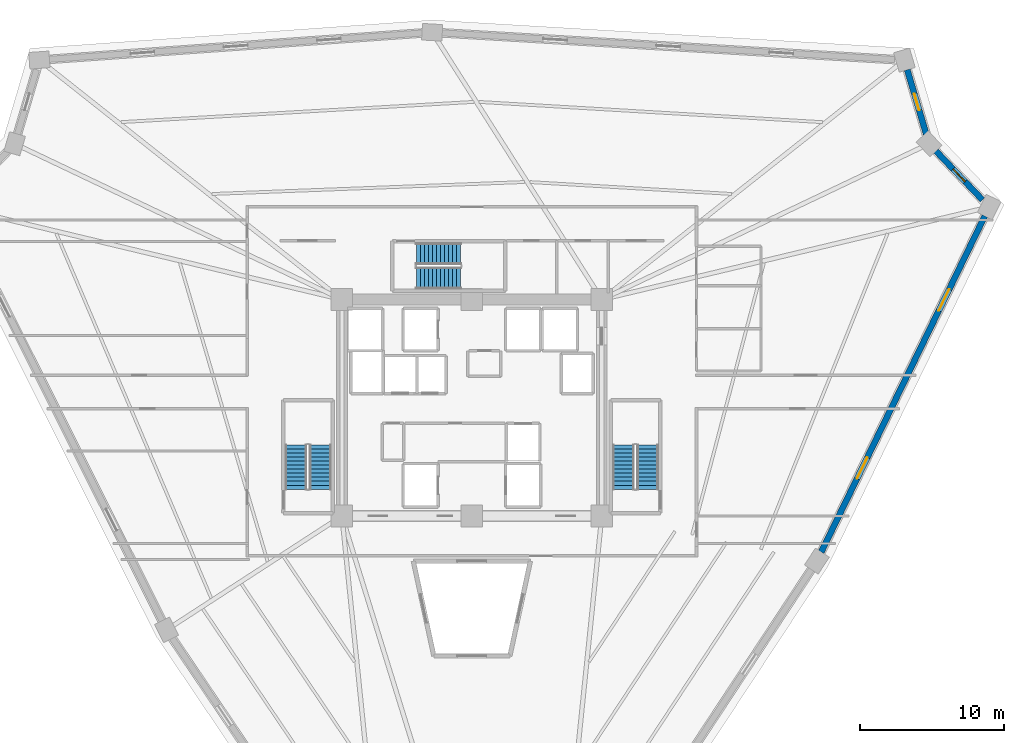
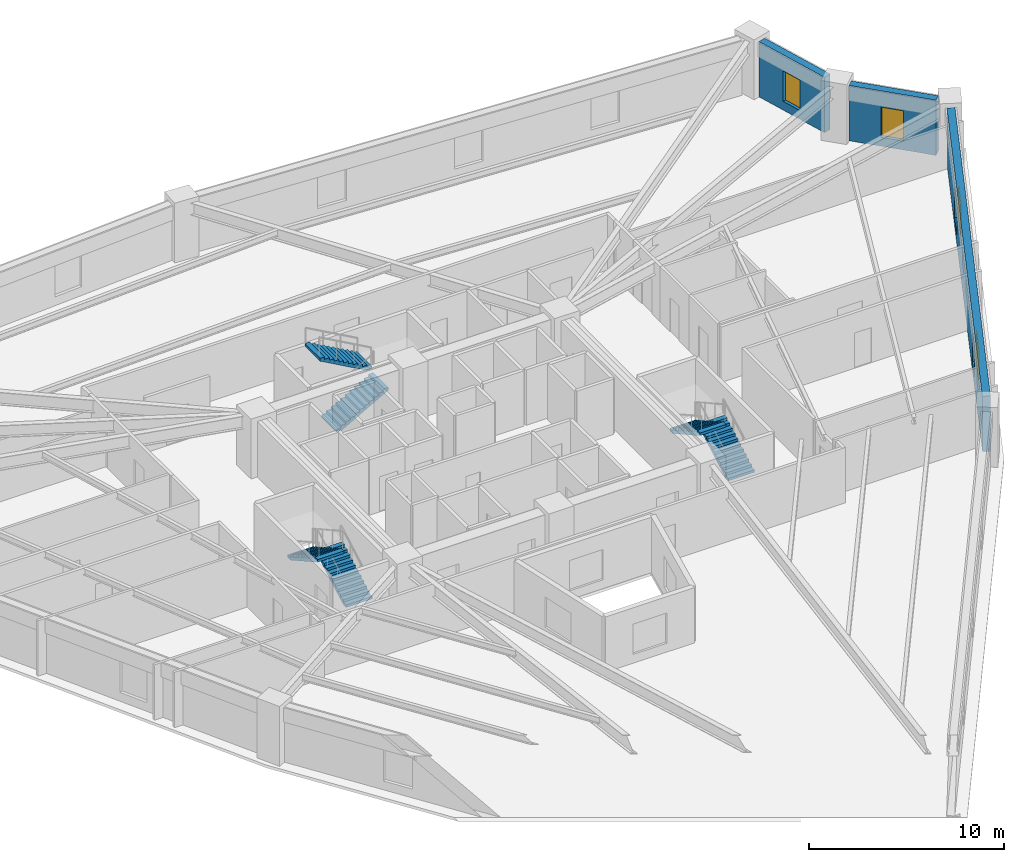
# One storey, part 7 of 8: 6 stair flights, 4 windows, 3 walls, 4 openings, 3 elements without a shape of their own.
"""IFC4 building model written with IfcOpenShell, lengths in metres."""

from ifc_helpers import new_model, si_unit, direction, frame, frame_2d, origin, place, context, subcontext, project, spatial, polyline, rectangle, outline, extrude, source, transform, mapped, material, layer, layer_set, type_object, element, fill, aggregate, save


model = new_model("IFC4")

# Units and contexts
model_context = context("Model", 3, precision=1e-05, world=origin(), true_north=direction((0.0, 1.0)))
body_context = subcontext(model_context, "Body", "Model", "MODEL_VIEW")
ifc_project = project(units=[si_unit("LENGTHUNIT", "METRE"), si_unit("AREAUNIT", "SQUARE_METRE"), si_unit("VOLUMEUNIT", "CUBIC_METRE"), si_unit("PLANEANGLEUNIT", "RADIAN"), si_unit("MASSUNIT", "GRAM", prefix="KILO")], contexts=[model_context])

# Site, building, storey
site_placement = place(None, origin())
site = spatial("IfcSite", under=ifc_project, at=site_placement, CompositionType="ELEMENT")
building_placement = place(site_placement, origin())
building = spatial("IfcBuilding", under=site, at=building_placement, Name="Liaohun Quay Tower", CompositionType="ELEMENT")
storey_placement = place(building_placement, frame((0.0, 0.0, 135.75)))
storey = spatial("IfcBuildingStorey", under=building, at=storey_placement, Name="L35", CompositionType="ELEMENT", Elevation=135.75)

# Wall, openings, windows
ifc_material_1 = material(Name="Precast concrete C50 insulated sandwich", Category="concrete")
ifc_layer = layer(ifc_material_1, 0.419921875, Name="Precast concrete C50 insulated sandwich", Category="concrete")
ifc_layer_set = layer_set([ifc_layer], Name="Precast concrete C50 insulated sandwich")
wall_type = type_object("IfcWallType", Name="WAL-EXT-Z12", PredefinedType="SOLIDWALL", material=ifc_layer_set)
wall_1_placement = place(storey_placement, frame((84.197021484375, 44.0, 0.0), z_axis=(0.0, 0.0, 1.0), x_axis=(0.4377191358, 0.899111760658, 0.0)))
wall_1 = element("IfcWall", 1, at=wall_1_placement, inside=storey, type_object=wall_type, Name="L35 Brutalist Precast Pier Wall 03", PredefinedType="SOLIDWALL", context=body_context, shape_type="SweptSolid", body=[
    extrude(rectangle(XDim=25.8955078125, YDim=0.419921875, at=frame_2d((12.94775390625, 0.0))), origin(), (0.0, 0.0, 1.0), 3.469970703125),
])
shared_shape_1 = source(origin(), body_context, "Body", "SweptSolid", [
    extrude(rectangle(XDim=1.64990234375, YDim=1.949951171875, at=frame_2d((0.824951171875, 0.97509765625))), frame((0.0, 0.219970703125, 0.0), z_axis=(0.0, -1.0, 0.0), x_axis=(1.0, 0.0, 0.0)), (0.0, 0.0, 1.0), 0.43994140625),
])
opening_1_placement = place(wall_1_placement, frame((5.64892578125, 0.0, 0.550048828125)))
opening_1 = element("IfcOpeningElement", 2, at=opening_1_placement, cuts=wall_1, Name="Opening W02", PredefinedType="OPENING", context=body_context, shape_type="MappedRepresentation", body=[
    mapped(shared_shape_1, transform((0.0, 0.0, 0.0), x_axis=(1.0, 0.0, 0.0), y_axis=(0.0, 1.0, 0.0), z_axis=(0.0, 0.0, 1.0), scale=1.0)),
])
opening_2_placement = place(wall_1_placement, frame((18.596923828125, 0.0, 0.550048828125)))
opening_2 = element("IfcOpeningElement", 3, at=opening_2_placement, cuts=wall_1, Name="Opening W02", PredefinedType="OPENING", context=body_context, shape_type="MappedRepresentation", body=[
    mapped(shared_shape_1, transform((0.0, 0.0, 0.0), x_axis=(1.0, 0.0, 0.0), y_axis=(0.0, 1.0, 0.0), z_axis=(0.0, 0.0, 1.0), scale=1.0)),
])
ifc_material_2 = material(Name="Triple Low-E argon glazing in thermally broken aluminium", Category="aluminium")
window_type_1 = type_object("IfcWindowType", Name="WIN-PUN-Z2", PartitioningType="DOUBLE_PANEL_VERTICAL", PredefinedType="WINDOW", material=ifc_material_2)
shared_shape_2 = source(origin(), body_context, "Body", "SweptSolid", [
    extrude(rectangle(XDim=1.64990234375, YDim=1.949951171875, at=frame_2d((0.824951171875, 0.97509765625))), frame((0.0, 0.030029296875, 0.0), z_axis=(0.0, -1.0, 0.0), x_axis=(1.0, 0.0, 0.0)), (0.0, 0.0, 1.0), 0.06005859375),
])
window_1_placement = place(opening_1_placement, origin())
window_1 = element("IfcWindow", 4, at=window_1_placement, inside=storey, type_object=window_type_1, Name="L35 Recessed Cold-Climate Punched Window 03-1", OverallHeight=1.949951171875, OverallWidth=1.64990234375, PartitioningType="DOUBLE_PANEL_VERTICAL", PredefinedType="WINDOW", context=body_context, shape_type="MappedRepresentation", body=[
    mapped(shared_shape_2, transform((0.0, 0.0, 0.0), x_axis=(1.0, 0.0, 0.0), y_axis=(0.0, 1.0, 0.0), z_axis=(0.0, 0.0, 1.0), scale=1.0)),
])
fill(opening_1, window_1)
window_2_placement = place(opening_2_placement, origin())
window_2 = element("IfcWindow", 5, at=window_2_placement, inside=storey, type_object=window_type_1, Name="L35 Recessed Cold-Climate Punched Window 03-3", OverallHeight=1.949951171875, OverallWidth=1.64990234375, PartitioningType="DOUBLE_PANEL_VERTICAL", PredefinedType="WINDOW", context=body_context, shape_type="MappedRepresentation", body=[
    mapped(shared_shape_2, transform((0.0, 0.0, 0.0), x_axis=(1.0, 0.0, 0.0), y_axis=(0.0, 1.0, 0.0), z_axis=(0.0, 0.0, 1.0), scale=1.0)),
])
fill(opening_2, window_2)

# Wall, opening, window
wall_2_placement = place(storey_placement, frame((95.35791015625, 68.403076171875, 0.0), z_axis=(0.0, 0.0, 1.0), x_axis=(-0.689195001013, 0.724575910846, 0.0)))
wall_2 = element("IfcWall", 6, at=wall_2_placement, inside=storey, type_object=wall_type, Name="L35 Brutalist Precast Pier Wall 04", PredefinedType="SOLIDWALL", context=body_context, shape_type="SweptSolid", body=[
    extrude(rectangle(XDim=4.66455078125, YDim=0.419921875, at=frame_2d((2.332275390625, 0.0))), origin(), (0.0, 0.0, 1.0), 3.469970703125),
])
shared_shape_3 = source(origin(), body_context, "Body", "SweptSolid", [
    extrude(rectangle(XDim=1.199951171875, YDim=1.89990234375, at=frame_2d((0.60009765625, 0.949951171875))), frame((0.0, 0.219970703125, 0.0), z_axis=(0.0, -1.0, 0.0), x_axis=(1.0, 0.0, 0.0)), (0.0, 0.0, 1.0), 0.43994140625),
])
opening_3_placement = place(wall_2_placement, frame((1.73193359375, 0.0, 0.550048828125)))
opening_3 = element("IfcOpeningElement", 7, at=opening_3_placement, cuts=wall_2, Name="Opening W05", PredefinedType="OPENING", context=body_context, shape_type="MappedRepresentation", body=[
    mapped(shared_shape_3, transform((0.0, 0.0, 0.0), x_axis=(1.0, 0.0, 0.0), y_axis=(0.0, 1.0, 0.0), z_axis=(0.0, 0.0, 1.0), scale=1.0)),
])
ifc_material_3 = material(Name="Triple Low-E corner notch glazing", Category="glass")
window_type_2 = type_object("IfcWindowType", Name="WIN-NOTCH", PartitioningType="SINGLE_PANEL", PredefinedType="WINDOW", material=ifc_material_3)
shared_shape_4 = source(origin(), body_context, "Body", "SweptSolid", [
    extrude(rectangle(XDim=1.199951171875, YDim=1.89990234375, at=frame_2d((0.60009765625, 0.949951171875))), frame((0.0, 0.030029296875, 0.0), z_axis=(0.0, -1.0, 0.0), x_axis=(1.0, 0.0, 0.0)), (0.0, 0.0, 1.0), 0.06005859375),
])
window_3_placement = place(opening_3_placement, origin())
window_3 = element("IfcWindow", 8, at=window_3_placement, inside=storey, type_object=window_type_2, Name="L35 Corner Notch Window W05-04", OverallHeight=1.89990234375, OverallWidth=1.199951171875, PartitioningType="SINGLE_PANEL", PredefinedType="WINDOW", context=body_context, shape_type="MappedRepresentation", body=[
    mapped(shared_shape_4, transform((0.0, 0.0, 0.0), x_axis=(1.0, 0.0, 0.0), y_axis=(0.0, 1.0, 0.0), z_axis=(0.0, 0.0, 1.0), scale=1.0)),
])
fill(opening_3, window_3)

wall_3_placement = place(storey_placement, frame((91.471923828125, 72.945068359375, 0.0), z_axis=(0.0, 0.0, 1.0), x_axis=(-0.282713940338, 0.959204268099, 0.0)))
wall_3 = element("IfcWall", 9, at=wall_3_placement, inside=storey, type_object=wall_type, Name="L35 Brutalist Precast Pier Wall 05", PredefinedType="SOLIDWALL", context=body_context, shape_type="SweptSolid", body=[
    extrude(rectangle(XDim=4.657958984375, YDim=0.419921875, at=frame_2d((2.3291015625, 0.0))), origin(), (0.0, 0.0, 1.0), 3.469970703125),
])
opening_4_placement = place(wall_3_placement, frame((1.72900390625, 0.0, 0.550048828125)))
opening_4 = element("IfcOpeningElement", 10, at=opening_4_placement, cuts=wall_3, Name="Opening W05", PredefinedType="OPENING", context=body_context, shape_type="MappedRepresentation", body=[
    mapped(shared_shape_3, transform((0.0, 0.0, 0.0), x_axis=(1.0, 0.0, 0.0), y_axis=(0.0, 1.0, 0.0), z_axis=(0.0, 0.0, 1.0), scale=1.0)),
])
window_4_placement = place(opening_4_placement, origin())
window_4 = element("IfcWindow", 11, at=window_4_placement, inside=storey, type_object=window_type_2, Name="L35 Corner Notch Window W05-05", OverallHeight=1.89990234375, OverallWidth=1.199951171875, PartitioningType="SINGLE_PANEL", PredefinedType="WINDOW", context=body_context, shape_type="MappedRepresentation", body=[
    mapped(shared_shape_4, transform((0.0, 0.0, 0.0), x_axis=(1.0, 0.0, 0.0), y_axis=(0.0, 1.0, 0.0), z_axis=(0.0, 0.0, 1.0), scale=1.0)),
])
fill(opening_4, window_4)

# Stair, stair flights
ifc_material_4 = material(Name="Concrete C45", Category="concrete")
stair_type = type_object("IfcStairType", Name="STR-CORE-OFF", PredefinedType="HALF_TURN_STAIR", material=ifc_material_4)
stair_1_placement = place(storey_placement, origin())
stair_1 = element("IfcStair", 12, at=stair_1_placement, inside=storey, type_object=stair_type, Name="L35 Smokeproof Core Exit Stair ST-1", PredefinedType="HALF_TURN_STAIR")
stair_flight_type = type_object("IfcStairFlightType", Name="FLT-CORE-155", PredefinedType="STRAIGHT", material=ifc_material_4)
stair_flight_1_placement = place(storey_placement, frame((49.5048828125, 48.35009765625, 0.0), z_axis=(0.0, 0.0, 1.0), x_axis=(0.0, 1.0, 0.0)))
stair_flight_1 = element("IfcStairFlight", 13, at=stair_flight_1_placement, type_object=stair_flight_type, Name="ST-1 flight 1", NumberOfRisers=12, NumberOfTreads=11, PredefinedType="STRAIGHT", RiserHeight=0.15625, TreadLength=0.28, context=body_context, shape_type="SweptSolid", body=[
    extrude(outline(polyline([(0.0, 0.0), (0.0, 0.15625), (0.280029296875, 0.15625), (0.280029296875, 0.3125), (0.56005859375, 0.3125), (0.56005859375, 0.46875), (0.840087890625, 0.46875), (0.840087890625, 0.625), (1.1201171875, 0.625), (1.1201171875, 0.78125), (1.39990234375, 0.78125), (1.39990234375, 0.9375), (1.679931640625, 0.9375), (1.679931640625, 1.09375), (1.9599609375, 1.09375), (1.9599609375, 1.25), (2.239990234375, 1.25), (2.239990234375, 1.40625), (2.52001953125, 1.40625), (2.52001953125, 1.5625), (2.800048828125, 1.5625), (2.800048828125, 1.71875), (3.080078125, 1.71875), (3.080078125, 1.875), (3.080078125, 1.547119140625), (0.3076171875, 0.0), (0.0, 0.0)])), frame((0.0, 0.77490234375, 0.0), z_axis=(0.0, -1.0, 0.0), x_axis=(1.0, 0.0, 0.0)), (0.0, 0.0, 1.0), 1.550048828125),
])
stair_flight_2_placement = place(storey_placement, frame((47.81494140625, 51.429931640625, 1.875), z_axis=(0.0, 0.0, 1.0), x_axis=(0.0, -1.0, 0.0)))
stair_flight_2 = element("IfcStairFlight", 14, at=stair_flight_2_placement, type_object=stair_flight_type, Name="ST-1 flight 2", NumberOfRisers=12, NumberOfTreads=11, PredefinedType="STRAIGHT", RiserHeight=0.15625, TreadLength=0.28, context=body_context, shape_type="SweptSolid", body=[
    extrude(outline(polyline([(0.0, 0.0), (0.0, 0.15625), (0.280029296875, 0.15625), (0.280029296875, 0.3125), (0.56005859375, 0.3125), (0.56005859375, 0.46875), (0.840087890625, 0.46875), (0.840087890625, 0.625), (1.1201171875, 0.625), (1.1201171875, 0.78125), (1.39990234375, 0.78125), (1.39990234375, 0.9375), (1.679931640625, 0.9375), (1.679931640625, 1.09375), (1.9599609375, 1.09375), (1.9599609375, 1.25), (2.239990234375, 1.25), (2.239990234375, 1.40625), (2.52001953125, 1.40625), (2.52001953125, 1.5625), (2.800048828125, 1.5625), (2.800048828125, 1.71875), (3.080078125, 1.71875), (3.080078125, 1.875), (3.080078125, 1.547119140625), (0.3076171875, 0.0), (0.0, 0.0)])), frame((0.0, 0.77490234375, 0.0), z_axis=(0.0, -1.0, 0.0), x_axis=(1.0, 0.0, 0.0)), (0.0, 0.0, 1.0), 1.550048828125),
])
aggregate(stair_1, [stair_flight_1, stair_flight_2])

stair_2_placement = place(storey_placement, origin())
stair_2 = element("IfcStair", 15, at=stair_2_placement, inside=storey, type_object=stair_type, Name="L35 Smokeproof Core Exit Stair ST-2", PredefinedType="HALF_TURN_STAIR")
stair_flight_3_placement = place(storey_placement, frame((72.18505859375, 48.35009765625, 0.0), z_axis=(0.0, 0.0, 1.0), x_axis=(0.0, 1.0, 0.0)))
stair_flight_3 = element("IfcStairFlight", 16, at=stair_flight_3_placement, type_object=stair_flight_type, Name="ST-2 flight 1", NumberOfRisers=12, NumberOfTreads=11, PredefinedType="STRAIGHT", RiserHeight=0.15625, TreadLength=0.28, context=body_context, shape_type="SweptSolid", body=[
    extrude(outline(polyline([(0.0, 0.0), (0.0, 0.15625), (0.280029296875, 0.15625), (0.280029296875, 0.3125), (0.56005859375, 0.3125), (0.56005859375, 0.46875), (0.840087890625, 0.46875), (0.840087890625, 0.625), (1.1201171875, 0.625), (1.1201171875, 0.78125), (1.39990234375, 0.78125), (1.39990234375, 0.9375), (1.679931640625, 0.9375), (1.679931640625, 1.09375), (1.9599609375, 1.09375), (1.9599609375, 1.25), (2.239990234375, 1.25), (2.239990234375, 1.40625), (2.52001953125, 1.40625), (2.52001953125, 1.5625), (2.800048828125, 1.5625), (2.800048828125, 1.71875), (3.080078125, 1.71875), (3.080078125, 1.875), (3.080078125, 1.547119140625), (0.3076171875, 0.0), (0.0, 0.0)])), frame((0.0, 0.77490234375, 0.0), z_axis=(0.0, -1.0, 0.0), x_axis=(1.0, 0.0, 0.0)), (0.0, 0.0, 1.0), 1.550048828125),
])
stair_flight_4_placement = place(storey_placement, frame((70.4951171875, 51.429931640625, 1.875), z_axis=(0.0, 0.0, 1.0), x_axis=(0.0, -1.0, 0.0)))
stair_flight_4 = element("IfcStairFlight", 17, at=stair_flight_4_placement, type_object=stair_flight_type, Name="ST-2 flight 2", NumberOfRisers=12, NumberOfTreads=11, PredefinedType="STRAIGHT", RiserHeight=0.15625, TreadLength=0.28, context=body_context, shape_type="SweptSolid", body=[
    extrude(outline(polyline([(0.0, 0.0), (0.0, 0.15625), (0.280029296875, 0.15625), (0.280029296875, 0.3125), (0.56005859375, 0.3125), (0.56005859375, 0.46875), (0.840087890625, 0.46875), (0.840087890625, 0.625), (1.1201171875, 0.625), (1.1201171875, 0.78125), (1.39990234375, 0.78125), (1.39990234375, 0.9375), (1.679931640625, 0.9375), (1.679931640625, 1.09375), (1.9599609375, 1.09375), (1.9599609375, 1.25), (2.239990234375, 1.25), (2.239990234375, 1.40625), (2.52001953125, 1.40625), (2.52001953125, 1.5625), (2.800048828125, 1.5625), (2.800048828125, 1.71875), (3.080078125, 1.71875), (3.080078125, 1.875), (3.080078125, 1.547119140625), (0.3076171875, 0.0), (0.0, 0.0)])), frame((0.0, 0.77490234375, 0.0), z_axis=(0.0, -1.0, 0.0), x_axis=(1.0, 0.0, 0.0)), (0.0, 0.0, 1.0), 1.550048828125),
])
aggregate(stair_2, [stair_flight_3, stair_flight_4])

stair_3_placement = place(storey_placement, origin())
stair_3 = element("IfcStair", 18, at=stair_3_placement, inside=storey, type_object=stair_type, Name="L35 Smokeproof Core Exit Stair ST-3", PredefinedType="HALF_TURN_STAIR")
stair_flight_5_placement = place(storey_placement, frame((56.14990234375, 62.97509765625, 0.0), z_axis=(0.0, 0.0, 1.0), x_axis=(1.0, 0.0, 0.0)))
stair_flight_5 = element("IfcStairFlight", 19, at=stair_flight_5_placement, type_object=stair_flight_type, Name="ST-3 flight 1", NumberOfRisers=12, NumberOfTreads=11, PredefinedType="STRAIGHT", RiserHeight=0.15625, TreadLength=0.28, context=body_context, shape_type="SweptSolid", body=[
    extrude(outline(polyline([(0.0, 0.0), (0.0, 0.15625), (0.280029296875, 0.15625), (0.280029296875, 0.3125), (0.56005859375, 0.3125), (0.56005859375, 0.46875), (0.840087890625, 0.46875), (0.840087890625, 0.625), (1.1201171875, 0.625), (1.1201171875, 0.78125), (1.39990234375, 0.78125), (1.39990234375, 0.9375), (1.679931640625, 0.9375), (1.679931640625, 1.09375), (1.9599609375, 1.09375), (1.9599609375, 1.25), (2.239990234375, 1.25), (2.239990234375, 1.40625), (2.52001953125, 1.40625), (2.52001953125, 1.5625), (2.800048828125, 1.5625), (2.800048828125, 1.71875), (3.080078125, 1.71875), (3.080078125, 1.875), (3.080078125, 1.547119140625), (0.3076171875, 0.0), (0.0, 0.0)])), frame((0.0, 0.77490234375, 0.0), z_axis=(0.0, -1.0, 0.0), x_axis=(1.0, 0.0, 0.0)), (0.0, 0.0, 1.0), 1.550048828125),
])
stair_flight_6_placement = place(storey_placement, frame((59.22998046875, 64.6650390625, 1.875), z_axis=(0.0, 0.0, 1.0), x_axis=(-1.0, 0.0, 0.0)))
stair_flight_6 = element("IfcStairFlight", 20, at=stair_flight_6_placement, type_object=stair_flight_type, Name="ST-3 flight 2", NumberOfRisers=12, NumberOfTreads=11, PredefinedType="STRAIGHT", RiserHeight=0.15625, TreadLength=0.28, context=body_context, shape_type="SweptSolid", body=[
    extrude(outline(polyline([(0.0, 0.0), (0.0, 0.15625), (0.280029296875, 0.15625), (0.280029296875, 0.3125), (0.56005859375, 0.3125), (0.56005859375, 0.46875), (0.840087890625, 0.46875), (0.840087890625, 0.625), (1.1201171875, 0.625), (1.1201171875, 0.78125), (1.39990234375, 0.78125), (1.39990234375, 0.9375), (1.679931640625, 0.9375), (1.679931640625, 1.09375), (1.9599609375, 1.09375), (1.9599609375, 1.25), (2.239990234375, 1.25), (2.239990234375, 1.40625), (2.52001953125, 1.40625), (2.52001953125, 1.5625), (2.800048828125, 1.5625), (2.800048828125, 1.71875), (3.080078125, 1.71875), (3.080078125, 1.875), (3.080078125, 1.547119140625), (0.3076171875, 0.0), (0.0, 0.0)])), frame((0.0, 0.77490234375, 0.0), z_axis=(0.0, -1.0, 0.0), x_axis=(1.0, 0.0, 0.0)), (0.0, 0.0, 1.0), 1.550048828125),
])
aggregate(stair_3, [stair_flight_5, stair_flight_6])

save(model, "model.ifc")
